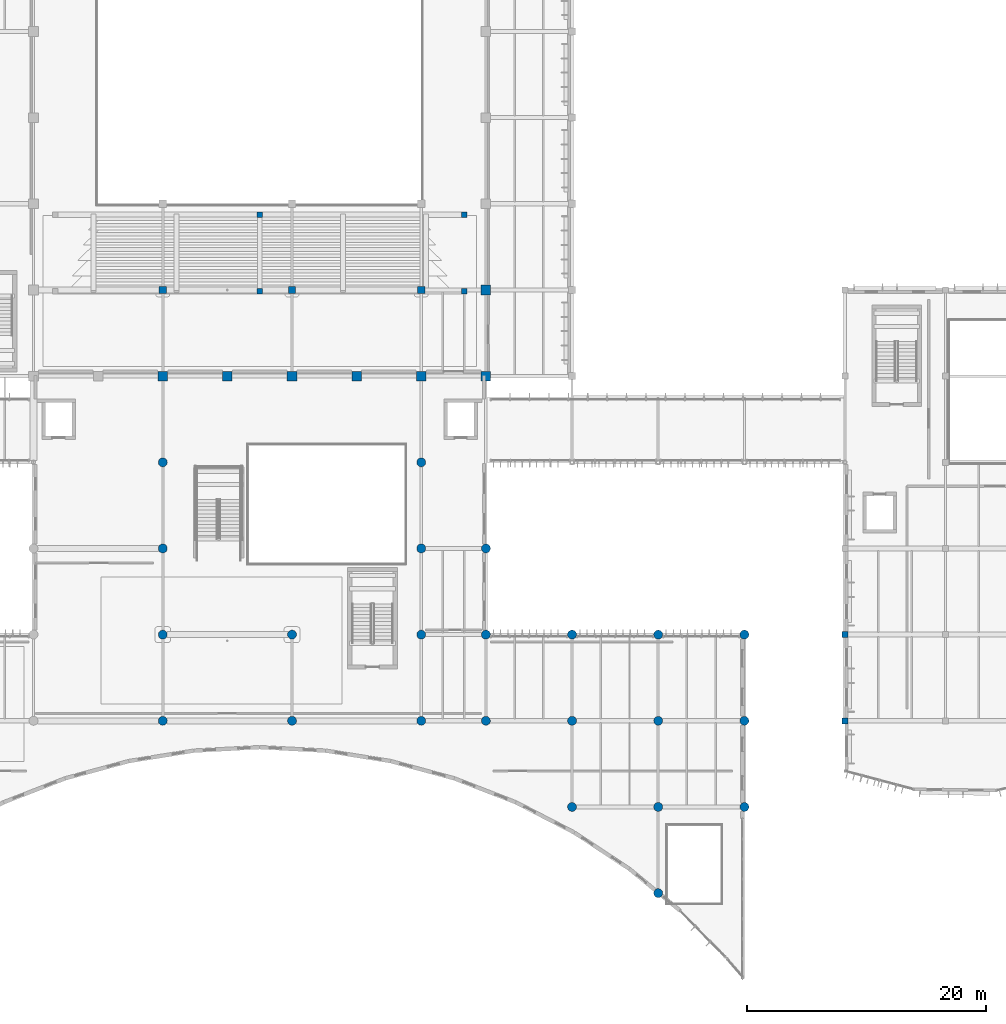
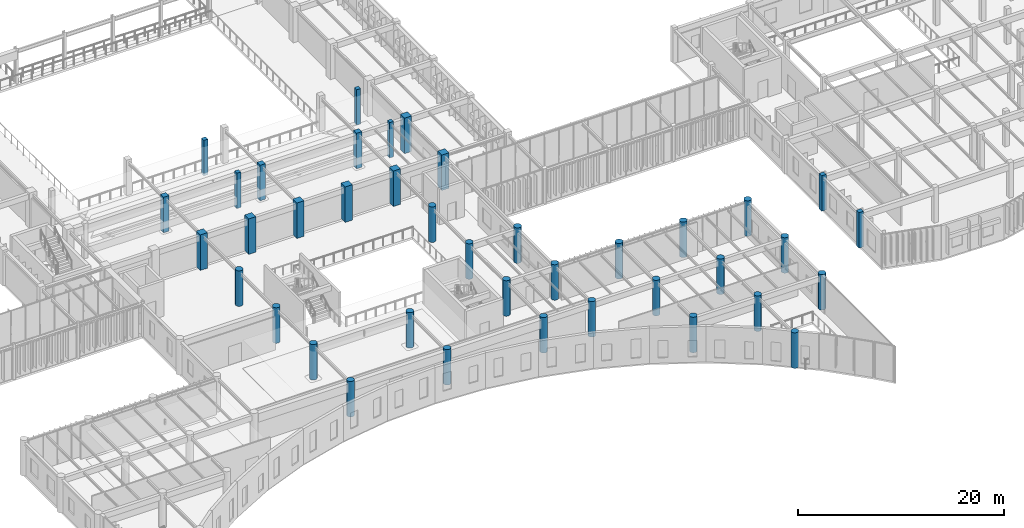
# One storey, part 4 of 122: 39 columns.
"""IFC4 building model written with IfcOpenShell, lengths in metres."""

from ifc_helpers import new_model, si_unit, direction, frame, origin, origin_2d, place, context, subcontext, project, spatial, rectangle, circle, extrude, material, material_profile, profile_set, type_object, element, save


model = new_model("IFC4")

# Units and contexts
model_context = context("Model", 3, precision=1e-05, world=origin(), true_north=direction((0.0, 1.0)))
body_context = subcontext(model_context, "Body", "Model", "MODEL_VIEW")
ifc_project = project(units=[si_unit("LENGTHUNIT", "METRE"), si_unit("AREAUNIT", "SQUARE_METRE"), si_unit("VOLUMEUNIT", "CUBIC_METRE"), si_unit("PLANEANGLEUNIT", "RADIAN"), si_unit("MASSUNIT", "GRAM", prefix="KILO")], contexts=[model_context])

# Site, building, storey
site_placement = place(None, origin())
site = spatial("IfcSite", under=ifc_project, at=site_placement, CompositionType="ELEMENT")
building_placement = place(site_placement, origin())
building = spatial("IfcBuilding", under=site, at=building_placement, Name="Tazoul Stagehouse", CompositionType="ELEMENT")
storey_placement = place(building_placement, frame((0.0, 0.0, 4.800048828125)))
storey = spatial("IfcBuildingStorey", under=building, at=storey_placement, Name="L01", CompositionType="ELEMENT", Elevation=4.800048828125)

# Columns
ifc_material = material(Name="Concrete C40/50", Category="concrete")
ifc_material_profile_1 = material_profile(ifc_material, circle(Radius=0.375, at=origin_2d()), Name="RC D750")
ifc_profile_set_1 = profile_set([ifc_material_profile_1], Name="Concrete C40/50")
column_type_1 = type_object("IfcColumnType", Name="RC Circular Column D750", PredefinedType="COLUMN", material=ifc_profile_set_1)
for number, where, z_axis, x_axis, name in (
    (1, (68.39990234375, 23.0, 0.0), (0.0, 0.0, 1.0), (1.0, 0.0, 0.0), "L01 Column C-08 at 10/D"),
    (2, (68.39990234375, 30.199951171875, 0.0), (0.0, 0.0, 1.0), (1.0, 0.0, 0.0), "L01 Column C-08 at 10/E"),
    (3, (68.39990234375, 37.39990234375, 0.0), (0.0, 0.0, 1.0), (1.0, 0.0, 0.0), "L01 Column C-08 at 10/F"),
    (4, (68.39990234375, 44.60009765625, 0.0), (0.0, 0.0, 1.0), (1.0, 0.0, 0.0), "L01 Column C-08 at 10/G"),
    (5, (79.199951171875, 23.0, 0.0), (0.0, 0.0, 1.0), (1.0, 0.0, 0.0), "L01 Column C-08 at 12/D"),
    (6, (79.199951171875, 30.199951171875, 0.0), (0.0, 0.0, 1.0), (1.0, 0.0, 0.0), "L01 Column C-08 at 12/E"),
    (7, (90.0, 23.0, 0.0), (0.0, 0.0, 1.0), (1.0, 0.0, 0.0), "L01 Column C-08 at 14/D"),
    (8, (90.0, 30.199951171875, 0.0), (0.0, 0.0, 1.0), (1.0, 0.0, 0.0), "L01 Column C-08 at 14/E"),
    (9, (90.0, 37.39990234375, 0.0), (0.0, 0.0, 1.0), (1.0, 0.0, 0.0), "L01 Column C-08 at 14/F"),
    (10, (90.0, 44.60009765625, 0.0), (0.0, 0.0, 1.0), (1.0, 0.0, 0.0), "L01 Column C-08 at 14/G"),
    (11, (95.39990234375, 23.0, 0.0), (0.0, 0.0, 1.0), (1.0, 0.0, 0.0), "L01 Column C-08 at 15/D"),
    (12, (102.60009765625, 15.800048828125, 0.0), (0.0, 0.0, 1.0), (1.0, 0.0, 0.0), "L01 Column C-08 at 16/C"),
    (13, (102.60009765625, 23.0, 0.0), (0.0, 0.0, 1.0), (1.0, 0.0, 0.0), "L01 Column C-08 at 16/D"),
    (14, (109.800048828125, 15.800048828125, 0.0), (0.0, 0.0, 1.0), (1.0, 0.0, 0.0), "L01 Column C-08 at 17/C"),
    (15, (109.800048828125, 23.0, 0.0), (0.0, 0.0, 1.0), (1.0, 0.0, 0.0), "L01 Column C-08 at 17/D"),
):
    element("IfcColumn", number, at=place(storey_placement, frame(where, z_axis=z_axis, x_axis=x_axis)), inside=storey, type_object=column_type_1, Name=name, PredefinedType="COLUMN", context=body_context, shape_type="SweptSolid", body=[
        extrude(circle(Radius=0.375, at=origin_2d()), origin(), (0.0, 0.0, 1.0), 4.199951171875),
    ])
ifc_material_profile_2 = material_profile(ifc_material, circle(Radius=0.375, at=origin_2d()), Name="RC D750")
ifc_profile_set_2 = profile_set([ifc_material_profile_2], Name="Concrete C40/50")
column_type_2 = type_object("IfcColumnType", Name="RC Circular Column D750 (Exterior)", PredefinedType="COLUMN", material=ifc_profile_set_2)
for number, where, z_axis, x_axis, name in (
    (16, (95.39990234375, 30.199951171875, 0.0), (0.0, 0.0, 1.0), (1.0, 0.0, 0.0), "L01 Column C-08E at 15/E"),
    (17, (95.39990234375, 37.39990234375, 0.0), (0.0, 0.0, 1.0), (1.0, 0.0, 0.0), "L01 Column C-08E at 15/F"),
    (18, (102.60009765625, 30.199951171875, 0.0), (0.0, 0.0, 1.0), (1.0, 0.0, 0.0), "L01 Column C-08E at 16/E"),
    (19, (109.800048828125, 8.60009765625, 0.0), (0.0, 0.0, 1.0), (1.0, 0.0, 0.0), "L01 Column C-08E at 17/B"),
    (20, (109.800048828125, 30.199951171875, 0.0), (0.0, 0.0, 1.0), (1.0, 0.0, 0.0), "L01 Column C-08E at 17/E"),
    (21, (117.0, 15.800048828125, 0.0), (0.0, 0.0, 1.0), (1.0, 0.0, 0.0), "L01 Column C-08E at 18/C"),
    (22, (117.0, 23.0, 0.0), (0.0, 0.0, 1.0), (1.0, 0.0, 0.0), "L01 Column C-08E at 18/D"),
    (23, (117.0, 30.199951171875, 0.0), (0.0, 0.0, 1.0), (1.0, 0.0, 0.0), "L01 Column C-08E at 18/E"),
):
    element("IfcColumn", number, at=place(storey_placement, frame(where, z_axis=z_axis, x_axis=x_axis)), inside=storey, type_object=column_type_2, Name=name, PredefinedType="COLUMN", context=body_context, shape_type="SweptSolid", body=[
        extrude(circle(Radius=0.375, at=origin_2d()), origin(), (0.0, 0.0, 1.0), 4.199951171875),
    ])
ifc_material_profile_3 = material_profile(ifc_material, rectangle(XDim=0.449951171875, YDim=0.449951171875, at=origin_2d()), Name="RC 450x450")
ifc_profile_set_3 = profile_set([ifc_material_profile_3], Name="Concrete C40/50")
column_type_3 = type_object("IfcColumnType", Name="RC Column 450x450", PredefinedType="COLUMN", material=ifc_profile_set_3)
for number, where, z_axis, x_axis, name in (
    (24, (76.5, 58.89990234375, 0.0), (0.0, 0.0, 1.0), (1.0, 0.0, 0.0), "L01 Bowl Support Column C-01 (V1-DRESS-RER-2)"),
    (25, (93.60009765625, 58.89990234375, 0.0), (0.0, 0.0, 1.0), (1.0, 0.0, 0.0), "L01 Bowl Support Column C-01 (V1-DRESS-RER-3)"),
    (26, (76.5, 65.300048828125, 0.0), (0.0, 0.0, 1.0), (1.0, 0.0, 0.0), "L01 Bowl Support Column C-01 (V1-UPPER-FRT-2)"),
    (27, (93.60009765625, 65.300048828125, 0.0), (0.0, 0.0, 1.0), (1.0, 0.0, 0.0), "L01 Bowl Support Column C-01 (V1-UPPER-FRT-3)"),
):
    element("IfcColumn", number, at=place(storey_placement, frame(where, z_axis=z_axis, x_axis=x_axis)), inside=storey, type_object=column_type_3, Name=name, PredefinedType="COLUMN", context=body_context, shape_type="SweptSolid", body=[
        extrude(rectangle(XDim=0.449951171875, YDim=0.449951171875, at=origin_2d()), origin(), (0.0, 0.0, 1.0), 4.199951171875),
    ])
ifc_material_profile_4 = material_profile(ifc_material, rectangle(XDim=0.5, YDim=0.5, at=origin_2d()), Name="RC 500x500")
ifc_profile_set_4 = profile_set([ifc_material_profile_4], Name="Concrete C40/50")
column_type_4 = type_object("IfcColumnType", Name="RC Column 500x500 (Exterior)", PredefinedType="COLUMN", material=ifc_profile_set_4)
for number, where, z_axis, x_axis, name in (
    (28, (125.39990234375, 23.0, 0.0), (0.0, 0.0, 1.0), (1.0, 0.0, 0.0), "L01 Column C-02E at 19/D"),
    (29, (125.39990234375, 30.199951171875, 0.0), (0.0, 0.0, 1.0), (1.0, 0.0, 0.0), "L01 Column C-02E at 19/E"),
):
    element("IfcColumn", number, at=place(storey_placement, frame(where, z_axis=z_axis, x_axis=x_axis)), inside=storey, type_object=column_type_4, Name=name, PredefinedType="COLUMN", context=body_context, shape_type="SweptSolid", body=[
        extrude(rectangle(XDim=0.5, YDim=0.5, at=origin_2d()), origin(), (0.0, 0.0, 1.0), 4.199951171875),
    ])
ifc_material_profile_5 = material_profile(ifc_material, rectangle(XDim=0.60009765625, YDim=0.60009765625, at=origin_2d()), Name="RC 600x600")
ifc_profile_set_5 = profile_set([ifc_material_profile_5], Name="Concrete C40/50")
column_type_5 = type_object("IfcColumnType", Name="RC Column 600x600", PredefinedType="COLUMN", material=ifc_profile_set_5)
for number, where, z_axis, x_axis, name in (
    (30, (68.39990234375, 59.0, 0.0), (0.0, 0.0, 1.0), (1.0, 0.0, 0.0), "L01 Column C-03 at 10/J"),
    (31, (79.199951171875, 59.0, 0.0), (0.0, 0.0, 1.0), (1.0, 0.0, 0.0), "L01 Column C-03 at 12/J"),
    (32, (90.0, 59.0, 0.0), (0.0, 0.0, 1.0), (1.0, 0.0, 0.0), "L01 Column C-03 at 14/J"),
):
    element("IfcColumn", number, at=place(storey_placement, frame(where, z_axis=z_axis, x_axis=x_axis)), inside=storey, type_object=column_type_5, Name=name, PredefinedType="COLUMN", context=body_context, shape_type="SweptSolid", body=[
        extrude(rectangle(XDim=0.60009765625, YDim=0.60009765625, at=origin_2d()), origin(), (0.0, 0.0, 1.0), 4.199951171875),
    ])
ifc_material_profile_6 = material_profile(ifc_material, rectangle(XDim=0.800048828125, YDim=0.800048828125, at=origin_2d()), Name="RC 800x800")
ifc_profile_set_6 = profile_set([ifc_material_profile_6], Name="Concrete C40/50")
column_type_6 = type_object("IfcColumnType", Name="RC Column 800x800", PredefinedType="COLUMN", material=ifc_profile_set_6)
for number, where, z_axis, x_axis, name in (
    (33, (68.39990234375, 51.800048828125, 0.0), (0.0, 0.0, 1.0), (1.0, 0.0, 0.0), "L01 Column C-05 at 10/H"),
    (34, (73.800048828125, 51.800048828125, 0.0), (0.0, 0.0, 1.0), (1.0, 0.0, 0.0), "L01 Column C-05 at 11/H"),
    (35, (79.199951171875, 51.800048828125, 0.0), (0.0, 0.0, 1.0), (1.0, 0.0, 0.0), "L01 Column C-05 at 12/H"),
    (36, (84.60009765625, 51.800048828125, 0.0), (0.0, 0.0, 1.0), (1.0, 0.0, 0.0), "L01 Column C-05 at 13/H"),
    (37, (90.0, 51.800048828125, 0.0), (0.0, 0.0, 1.0), (1.0, 0.0, 0.0), "L01 Column C-05 at 14/H"),
    (38, (95.39990234375, 59.0, 0.0), (0.0, 0.0, 1.0), (1.0, 0.0, 0.0), "L01 Column C-05 at 15/J"),
):
    element("IfcColumn", number, at=place(storey_placement, frame(where, z_axis=z_axis, x_axis=x_axis)), inside=storey, type_object=column_type_6, Name=name, PredefinedType="COLUMN", context=body_context, shape_type="SweptSolid", body=[
        extrude(rectangle(XDim=0.800048828125, YDim=0.800048828125, at=origin_2d()), origin(), (0.0, 0.0, 1.0), 4.199951171875),
    ])
ifc_material_profile_7 = material_profile(ifc_material, rectangle(XDim=0.800048828125, YDim=0.800048828125, at=origin_2d()), Name="RC 800x800")
ifc_profile_set_7 = profile_set([ifc_material_profile_7], Name="Concrete C40/50")
column_type_7 = type_object("IfcColumnType", Name="RC Column 800x800 (Exterior)", PredefinedType="COLUMN", material=ifc_profile_set_7)
column_placement = place(storey_placement, frame((95.39990234375, 51.800048828125, 0.0), z_axis=(0.0, 0.0, 1.0), x_axis=(1.0, 0.0, 0.0)))
element("IfcColumn", 39, at=column_placement, inside=storey, type_object=column_type_7, Name="L01 Column C-05E at 15/H", PredefinedType="COLUMN", context=body_context, shape_type="SweptSolid", body=[
    extrude(rectangle(XDim=0.800048828125, YDim=0.800048828125, at=origin_2d()), origin(), (0.0, 0.0, 1.0), 4.199951171875),
])

save(model, "model.ifc")
